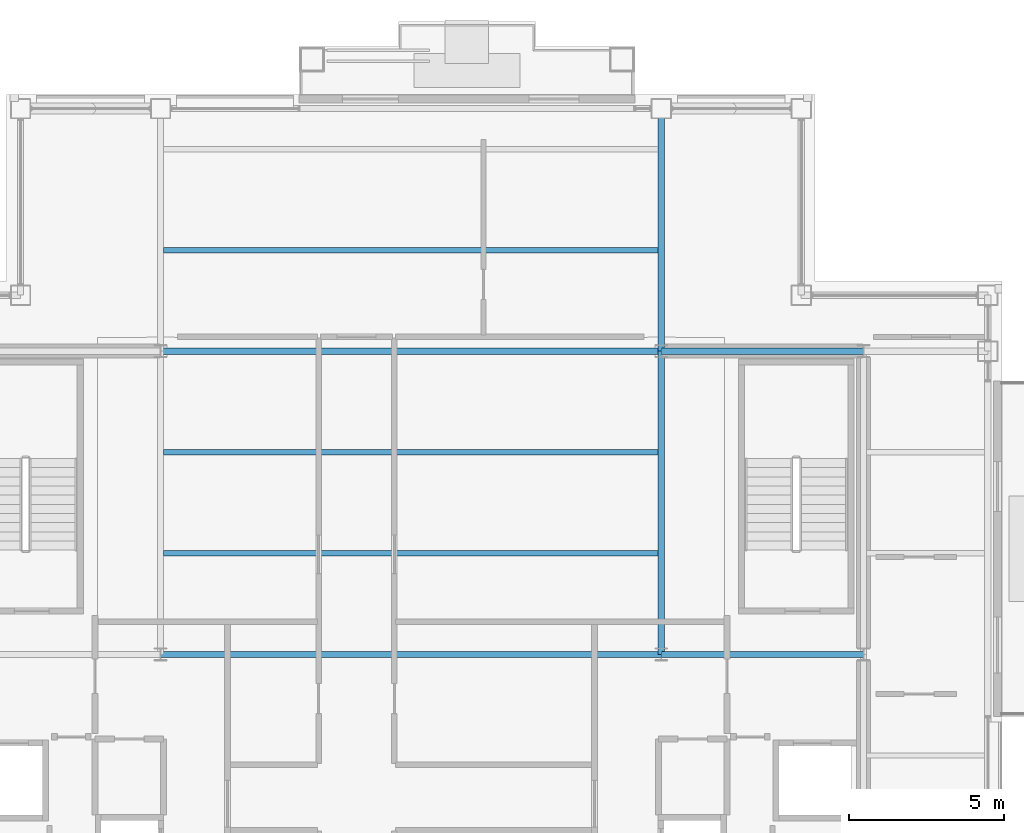
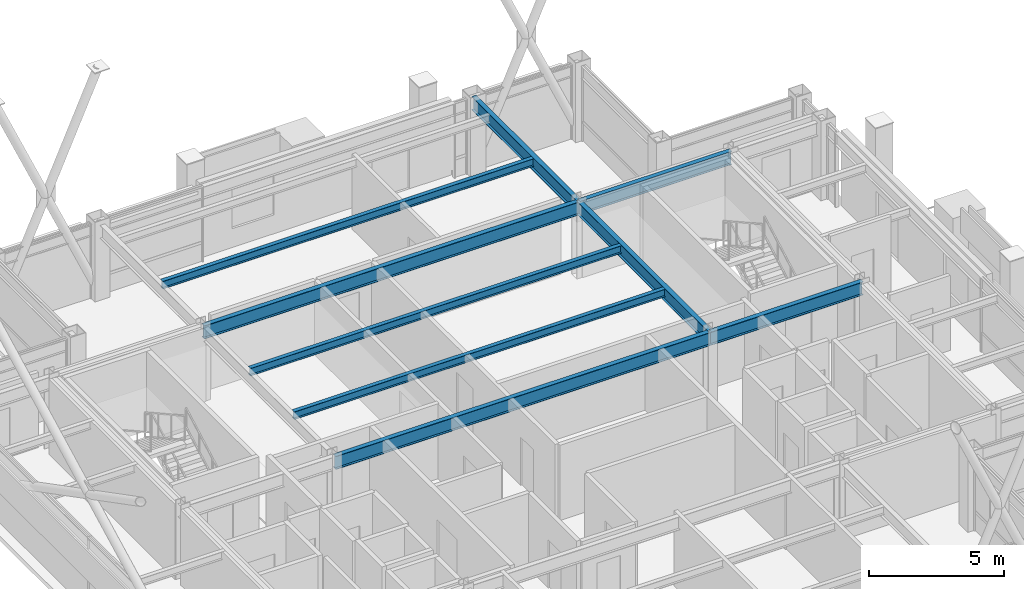
# One storey, part 14 of 30: 9 beams.
"""IFC4 building model written with IfcOpenShell, lengths in metres."""

from ifc_helpers import new_model, si_unit, direction, frame, origin, origin_2d, place, context, subcontext, project, spatial, i_section, extrude, material, material_profile, profile_set, type_object, element, save


model = new_model("IFC4")

# Units and contexts
model_context = context("Model", 3, precision=1e-05, world=origin(), true_north=direction((0.0, 1.0)))
body_context = subcontext(model_context, "Body", "Model", "MODEL_VIEW")
ifc_project = project(units=[si_unit("LENGTHUNIT", "METRE"), si_unit("AREAUNIT", "SQUARE_METRE"), si_unit("VOLUMEUNIT", "CUBIC_METRE"), si_unit("PLANEANGLEUNIT", "RADIAN"), si_unit("MASSUNIT", "GRAM", prefix="KILO")], contexts=[model_context])

# Site, building, storey
site_placement = place(None, origin())
site = spatial("IfcSite", under=ifc_project, at=site_placement, CompositionType="ELEMENT")
building_placement = place(site_placement, origin())
building = spatial("IfcBuilding", under=site, at=building_placement, Name="Brelmoor Portico Tower", CompositionType="ELEMENT")
storey_placement = place(building_placement, frame((0.0, 0.0, 236.39990234375)))
storey = spatial("IfcBuildingStorey", under=building, at=storey_placement, Name="L62", CompositionType="ELEMENT", Elevation=236.39990234375)

# Beams
ifc_material = material(Name="Steel Q355B", Category="steel")
ifc_material_profile_1 = material_profile(ifc_material, i_section(OverallWidth=0.175048828125, OverallDepth=0.35009765625, WebThickness=0.007080078125, FlangeThickness=0.010986328125, at=origin_2d()), Name="HN 350x175x7x11")
ifc_profile_set_1 = profile_set([ifc_material_profile_1], Name="Steel Q355B")
beam_type_1 = type_object("IfcBeamType", Name="BM-JS-350", PredefinedType="JOIST", material=ifc_profile_set_1)
for number, where, z_axis, x_axis, name in (
    (1, (-7.949951171875, 3.25, 3.22509765625), (1.0, 0.0, 0.0), (0.0, 1.0, 0.0), "L62 Secondary Composite Joist JS-C03"),
    (2, (-7.949951171875, 6.5, 3.22509765625), (1.0, 0.0, 0.0), (0.0, 1.0, 0.0), "L62 Secondary Composite Joist JS-C04"),
    (3, (-7.949951171875, 13.0, 3.22509765625), (1.0, 0.0, 0.0), (0.0, 1.0, 0.0), "L62 Secondary Composite Joist JS-C05"),
):
    element("IfcBeam", number, at=place(storey_placement, frame(where, z_axis=z_axis, x_axis=x_axis)), inside=storey, type_object=beam_type_1, Name=name, PredefinedType="JOIST", context=body_context, shape_type="SweptSolid", body=[
        extrude(i_section(OverallWidth=0.175048828125, OverallDepth=0.35009765625, WebThickness=0.007080078125, FlangeThickness=0.010986328125, at=origin_2d()), origin(), (0.0, 0.0, 1.0), 15.89990234375),
    ])
ifc_material_profile_2 = material_profile(ifc_material, i_section(OverallWidth=0.199951171875, OverallDepth=0.60009765625, WebThickness=0.010986328125, FlangeThickness=0.01708984375, at=origin_2d()), Name="HN 600x200x11x17")
ifc_profile_set_2 = profile_set([ifc_material_profile_2], Name="Steel Q355B")
beam_type_2 = type_object("IfcBeamType", Name="BM-PG-600", PredefinedType="BEAM", material=ifc_profile_set_2)
beam_1_placement = place(storey_placement, frame((8.050048828125, 0.0, 3.10009765625), z_axis=(0.0, 1.0, 0.0), x_axis=(-1.0, 0.0, 0.0)))
element("IfcBeam", 4, at=beam_1_placement, inside=storey, type_object=beam_type_2, Name="L62 Primary Floor Girder PG-07", PredefinedType="BEAM", context=body_context, shape_type="SweptSolid", body=[
    extrude(i_section(OverallWidth=0.199951171875, OverallDepth=0.60009765625, WebThickness=0.010986328125, FlangeThickness=0.01708984375, at=origin_2d()), origin(), (0.0, 0.0, 1.0), 9.75),
])
beam_2_placement = place(storey_placement, frame((8.050048828125, 9.75, 3.10009765625), z_axis=(0.0, 1.0, 0.0), x_axis=(-1.0, 0.0, 0.0)))
element("IfcBeam", 5, at=beam_2_placement, inside=storey, type_object=beam_type_2, Name="L62 Primary Floor Girder PG-08", PredefinedType="BEAM", context=body_context, shape_type="SweptSolid", body=[
    extrude(i_section(OverallWidth=0.199951171875, OverallDepth=0.60009765625, WebThickness=0.010986328125, FlangeThickness=0.01708984375, at=origin_2d()), origin(), (0.0, 0.0, 1.0), 7.800048828125),
])
beam_3_placement = place(storey_placement, frame((-8.050048828125, 0.0, 3.10009765625), z_axis=(1.0, 0.0, 0.0), x_axis=(0.0, 1.0, 0.0)))
element("IfcBeam", 6, at=beam_3_placement, inside=storey, type_object=beam_type_2, Name="L62 Primary Floor Girder PG-17", PredefinedType="BEAM", context=body_context, shape_type="SweptSolid", body=[
    extrude(i_section(OverallWidth=0.199951171875, OverallDepth=0.60009765625, WebThickness=0.010986328125, FlangeThickness=0.01708984375, at=origin_2d()), origin(), (0.0, 0.0, 1.0), 16.10009765625),
])
beam_4_placement = place(storey_placement, frame((8.050048828125, 0.0, 3.10009765625), z_axis=(1.0, 0.0, 0.0), x_axis=(0.0, 1.0, 0.0)))
element("IfcBeam", 7, at=beam_4_placement, inside=storey, type_object=beam_type_2, Name="L62 Primary Floor Girder PG-18", PredefinedType="BEAM", context=body_context, shape_type="SweptSolid", body=[
    extrude(i_section(OverallWidth=0.199951171875, OverallDepth=0.60009765625, WebThickness=0.010986328125, FlangeThickness=0.01708984375, at=origin_2d()), origin(), (0.0, 0.0, 1.0), 6.5),
])
beam_5_placement = place(storey_placement, frame((-8.050048828125, 9.75, 3.10009765625), z_axis=(1.0, 0.0, 0.0), x_axis=(0.0, 1.0, 0.0)))
element("IfcBeam", 8, at=beam_5_placement, inside=storey, type_object=beam_type_2, Name="L62 Primary Floor Girder PG-21", PredefinedType="BEAM", context=body_context, shape_type="SweptSolid", body=[
    extrude(i_section(OverallWidth=0.199951171875, OverallDepth=0.60009765625, WebThickness=0.010986328125, FlangeThickness=0.01708984375, at=origin_2d()), origin(), (0.0, 0.0, 1.0), 16.10009765625),
])
beam_6_placement = place(storey_placement, frame((8.050048828125, 9.75, 3.10009765625), z_axis=(1.0, 0.0, 0.0), x_axis=(0.0, 1.0, 0.0)))
element("IfcBeam", 9, at=beam_6_placement, inside=storey, type_object=beam_type_2, Name="L62 Primary Floor Girder PG-22", PredefinedType="BEAM", context=body_context, shape_type="SweptSolid", body=[
    extrude(i_section(OverallWidth=0.199951171875, OverallDepth=0.60009765625, WebThickness=0.010986328125, FlangeThickness=0.01708984375, at=origin_2d()), origin(), (0.0, 0.0, 1.0), 6.5),
])

save(model, "model.ifc")
